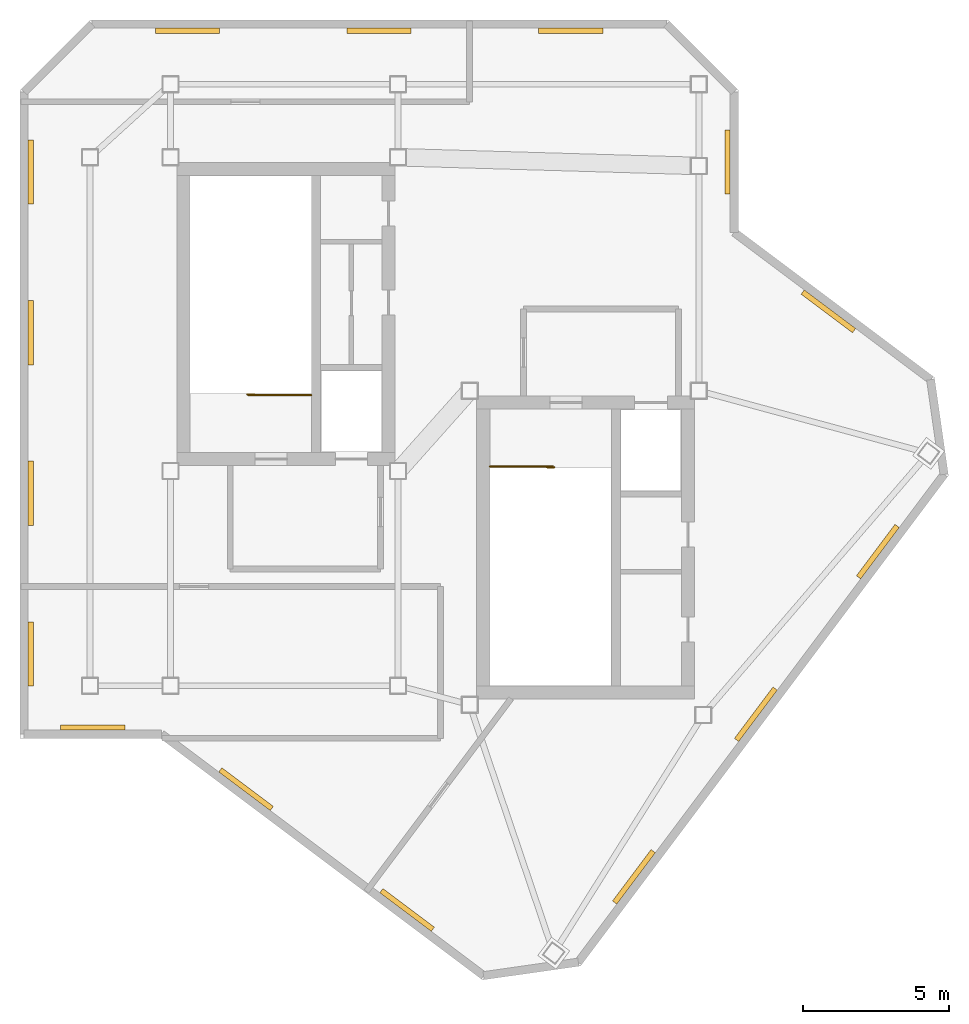
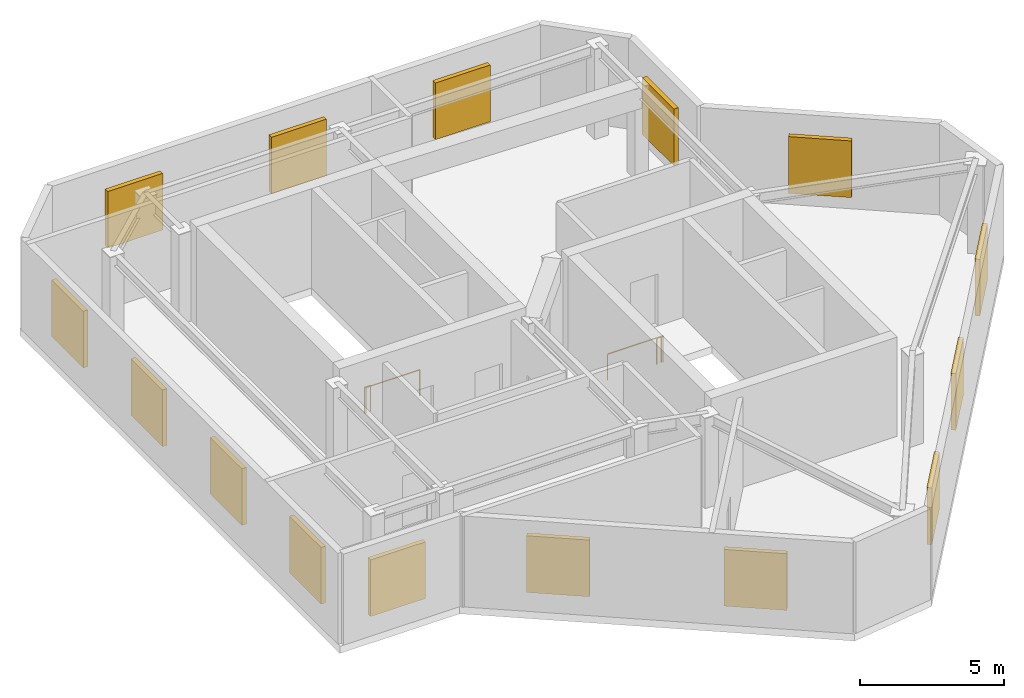
# One storey, part 3 of 3: 15 shading devices, 4 railings.
"""IFC4 building model written with IfcOpenShell, lengths in metres."""

import ifcopenshell
import ifcopenshell.guid

model = None  # the IFC model being written
_history = None  # IfcOwnerHistory: only IFC2X3 demands one
_inside = {}  # id of a spatial element -> (the spatial element, [elements in it])
_under = {}  # id of a project, library or spatial element -> (it, [spatial elements below it])
_declared = {}  # id of a project -> (the project, [libraries it declares])
_typed = {}  # id of a type object -> (the type object, [elements of that type])
_made_of = {}  # id of a material, layer set ... -> (it, [elements and type objects made of it])


def new_model(schema):
    """Start an empty IFC model of exactly this schema.

    Asked for "IFC4X3", IfcOpenShell would pick the latest addendum, in which some entities
    have other attributes; the version numbers below select the first issue.
    IFC2X3 requires an IfcOwnerHistory on every rooted entity: one is made here for all.
    """
    global model, _history
    if schema == "IFC4X3":
        model = ifcopenshell.file(schema_version=(4, 3, 0, 0))
    else:
        model = ifcopenshell.file(schema=schema)
    _inside.clear()
    _under.clear()
    _declared.clear()
    _typed.clear()
    _made_of.clear()
    _history = None
    if model.schema == "IFC2X3":
        org = make("IfcOrganization", Name="unknown")
        user = make(
            "IfcPersonAndOrganization",
            ThePerson=make("IfcPerson", FamilyName="unknown"),
            TheOrganization=org,
        )
        app = make(
            "IfcApplication",
            ApplicationDeveloper=org,
            Version="unknown",
            ApplicationFullName="unknown",
            ApplicationIdentifier="unknown",
        )
        _history = make(
            "IfcOwnerHistory",
            OwningUser=user,
            OwningApplication=app,
            ChangeAction="ADDED",
            CreationDate=0,
        )
    return model


def make(cls, **values):
    """One entity of the class cls with the attributes given. An attribute that is None is left unset."""
    return model.create_entity(
        cls, **{name: value for name, value in values.items() if value is not None}
    )


def rooted(cls, **values):
    """An entity with a GlobalId (a new one), such as an element, a storey or a relation."""
    return make(cls, GlobalId=ifcopenshell.guid.new(), OwnerHistory=_history, **values)


def si_unit(unit_type, name, prefix=None):
    """IfcSIUnit, for example si_unit("LENGTHUNIT", "METRE", prefix="MILLI")."""
    return make("IfcSIUnit", UnitType=unit_type, Prefix=prefix, Name=name)


def assignment(units):
    """IfcUnitAssignment: the units of a project."""
    return None if units is None else make("IfcUnitAssignment", Units=units)


def point(xyz):
    """IfcCartesianPoint."""
    return None if xyz is None else make("IfcCartesianPoint", Coordinates=xyz)


def direction(xyz):
    """IfcDirection."""
    return None if xyz is None else make("IfcDirection", DirectionRatios=xyz)


def frame(location, z_axis=None, x_axis=None):
    """IfcAxis2Placement3D, a coordinate frame: its origin and axes. An axis left out is left unset."""
    return make(
        "IfcAxis2Placement3D",
        Location=point(location),
        Axis=direction(z_axis),
        RefDirection=direction(x_axis),
    )


def frame_2d(location, x_axis=None):
    """IfcAxis2Placement2D, a coordinate frame in the plane: its origin and x axis."""
    return make(
        "IfcAxis2Placement2D", Location=point(location), RefDirection=direction(x_axis)
    )


def origin():
    """The frame at (0, 0, 0) with its axes left unset."""
    return frame((0.0, 0.0, 0.0))


def origin_2d():
    """The frame at (0, 0) in the plane with its x axis left unset."""
    return frame_2d((0.0, 0.0))


def place(relative_to, where):
    """IfcLocalPlacement: puts the frame where relative to a parent placement (None: the world)."""
    return make(
        "IfcLocalPlacement", PlacementRelTo=relative_to, RelativePlacement=where
    )


def context(
    kind, dimensions, precision=None, world=None, true_north=None, identifier=None
):
    """IfcGeometricRepresentationContext, for example the 3D "Model" context."""
    return make(
        "IfcGeometricRepresentationContext",
        ContextIdentifier=identifier,
        ContextType=kind,
        CoordinateSpaceDimension=dimensions,
        Precision=precision,
        WorldCoordinateSystem=world,
        TrueNorth=true_north,
    )


def subcontext(parent, identifier, kind, view, scale=None):
    """IfcGeometricRepresentationSubContext, for example "Body" below "Model"."""
    return make(
        "IfcGeometricRepresentationSubContext",
        ContextIdentifier=identifier,
        ContextType=kind,
        ParentContext=parent,
        TargetScale=scale,
        TargetView=view,
    )


def project(units=None, contexts=None):
    """IfcProject with its units and contexts."""
    return rooted(
        "IfcProject",
        Name="project",
        RepresentationContexts=contexts,
        UnitsInContext=assignment(units),
    )


def spatial(cls, under=None, at=None, **own):
    """A site, building, storey or space (cls), placed at a placement, below another one or the project."""
    s = rooted(cls, ObjectPlacement=at, **own)
    if under is not None:
        _under.setdefault(under.id(), (under, []))[1].append(s)
    return s


def profile(cls, at=None, kind="AREA", **sizes):
    """A parametric profile (cls). Its sizes go by their IFC names, for example OverallWidth=200.0."""
    return make(cls, ProfileType=kind, Position=at, **sizes)


def rectangle(**sizes):
    """IfcRectangleProfileDef."""
    return profile("IfcRectangleProfileDef", **sizes)


def circle(**sizes):
    """IfcCircleProfileDef."""
    return profile("IfcCircleProfileDef", **sizes)


def extrude(swept, where, along, depth):
    """IfcExtrudedAreaSolid: the profile swept, set in the frame where, extruded along a direction by depth."""
    return make(
        "IfcExtrudedAreaSolid",
        SweptArea=swept,
        Position=where,
        ExtrudedDirection=direction(along),
        Depth=depth,
    )


def shape(context_of_items, identifier, shape_type, items):
    """IfcShapeRepresentation: the items that make up one representation, for example the "Body"."""
    return make(
        "IfcShapeRepresentation",
        ContextOfItems=context_of_items,
        RepresentationIdentifier=identifier,
        RepresentationType=shape_type,
        Items=items,
    )


def material(Name=None, Category=None):
    """IfcMaterial."""
    return make("IfcMaterial", Name=Name, Category=Category)


def layer(
    of_material, thickness, ventilated=None, Name=None, Category=None, Priority=None
):
    """IfcMaterialLayer: one layer of a wall or slab, of a material (None: an air gap)."""
    return make(
        "IfcMaterialLayer",
        Material=of_material,
        LayerThickness=thickness,
        IsVentilated=ventilated,
        Name=Name,
        Category=Category,
        Priority=Priority,
    )


def layer_set(layers, Name=None):
    """IfcMaterialLayerSet."""
    return make("IfcMaterialLayerSet", MaterialLayers=layers, LayerSetName=Name)


def made_of(thing, what):
    """Note that an element or type object is made of a material, layer set ...; save() writes the relation."""
    if what is not None:
        _made_of.setdefault(what.id(), (what, []))[1].append(thing)
    return thing


def type_object(cls, material=None, **own):
    """A type object (cls), such as IfcWallType, which elements share."""
    return made_of(rooted(cls, **own), material)


def element(
    cls,
    number,
    at=None,
    inside=None,
    cuts=None,
    type_object=None,
    material=None,
    context=None,
    identifier="Body",
    shape_type=None,
    held_by="IfcProductDefinitionShape",
    body=None,
    shapes=None,
    **own,
):
    """One element of the class cls, such as IfcWall. Its Tag is "e" and its number.

    at: its placement. inside: the storey or other place that contains it. cuts: it is an
    opening in that element (IfcRelVoidsElement). A single representation is given by context,
    identifier, shape_type and body (its items); several are given by shapes. held_by: the class
    of the entity that holds the representations. save() writes the other relations.
    """
    e = rooted(cls, Tag="e%d" % number, ObjectPlacement=at, **own)
    if body is not None:
        shapes = [shape(context, identifier, shape_type, body)]
    if shapes is not None:
        e.Representation = make(held_by, Representations=shapes)
    if inside is not None:
        _inside.setdefault(inside.id(), (inside, []))[1].append(e)
    if cuts is not None:
        rooted(
            "IfcRelVoidsElement", RelatingBuildingElement=cuts, RelatedOpeningElement=e
        )
    if type_object is not None:
        _typed.setdefault(type_object.id(), (type_object, []))[1].append(e)
    return made_of(e, material)


def aggregate(whole, parts):
    """IfcRelAggregates: a whole, such as a stair, and the parts it consists of."""
    return rooted("IfcRelAggregates", RelatingObject=whole, RelatedObjects=parts)


def save(model, path):
    """Write the relations noted so far, then the file.

    IfcRelAggregates (storeys below a building ...), IfcRelContainedInSpatialStructure (elements
    in a storey), IfcRelDefinesByType, IfcRelAssociatesMaterial and IfcRelDeclares: one each for
    every whole, place, type object, material and project.
    """
    for whole, parts in _under.values():
        aggregate(whole, parts)
    for where, things in _inside.values():
        rooted(
            "IfcRelContainedInSpatialStructure",
            RelatedElements=things,
            RelatingStructure=where,
        )
    for kind, things in _typed.values():
        rooted("IfcRelDefinesByType", RelatedObjects=things, RelatingType=kind)
    for what, things in _made_of.values():
        rooted("IfcRelAssociatesMaterial", RelatedObjects=things, RelatingMaterial=what)
    for by, libraries in _declared.values():
        rooted("IfcRelDeclares", RelatingContext=by, RelatedDefinitions=libraries)
    model.write(path)


model = new_model("IFC4")

# Units and contexts
model_context = context("Model", 3, precision=1e-05, world=origin(), true_north=direction((0.0, 1.0)))
body_context = subcontext(model_context, "Body", "Model", "MODEL_VIEW")
ifc_project = project(units=[si_unit("LENGTHUNIT", "METRE"), si_unit("AREAUNIT", "SQUARE_METRE"), si_unit("VOLUMEUNIT", "CUBIC_METRE"), si_unit("PLANEANGLEUNIT", "RADIAN"), si_unit("MASSUNIT", "GRAM", prefix="KILO")], contexts=[model_context])

# Site, building, storey
site_placement = place(None, origin())
site = spatial("IfcSite", under=ifc_project, at=site_placement, CompositionType="ELEMENT")
building_placement = place(site_placement, origin())
building = spatial("IfcBuilding", under=site, at=building_placement, Name="Hatsunagi Terrace Concourse", CompositionType="ELEMENT")
storey_placement = place(building_placement, frame((0.0, 0.0, 289.949951171875)))
storey = spatial("IfcBuildingStorey", under=building, at=storey_placement, Name="L76", CompositionType="ELEMENT", Elevation=289.949951171875)

# Shading devices
ifc_material_1 = material(Name="Powder-Coated Aluminium Acoustic Louvre", Category="aluminium")
ifc_layer_1 = layer(ifc_material_1, 0.179931640625)
ifc_layer_set_1 = layer_set([ifc_layer_1], Name="PlantAcousticLouvre_180")
shading_device_type = type_object("IfcShadingDeviceType", Name="PlantAcousticLouvre_180", PredefinedType="JALOUSIE", material=ifc_layer_set_1)
for number, where, z_axis, x_axis, name in (
    (1, (48.0869140625, 38.02197265625, 0.60009765625), (0.0, 0.0, 1.0), (0.800028248794, -0.599962333093, 0.0), "Plant Acoustic Louvre L76-01-1"),
    (2, (49.781005859375, 29.791015625, 0.60009765625), (0.0, 0.0, 1.0), (-0.599969314634, -0.800023013105, 0.0), "Plant Acoustic Louvre L76-03-1"),
    (3, (45.60400390625, 24.221923828125, 0.60009765625), (0.0, 0.0, 1.0), (-0.599969314634, -0.800023013105, 0.0), "Plant Acoustic Louvre L76-03-2"),
    (4, (41.427001953125, 18.653076171875, 0.60009765625), (0.0, 0.0, 1.0), (-0.599969314634, -0.800023013105, 0.0), "Plant Acoustic Louvre L76-03-3"),
    (5, (33.657958984375, 17.51904296875, 0.60009765625), (0.0, 0.0, 1.0), (-0.80000835285, 0.599988862705, 0.0), "Plant Acoustic Louvre L76-05-1"),
    (6, (28.14306640625, 21.656005859375, 0.60009765625), (0.0, 0.0, 1.0), (-0.80000835285, 0.599988862705, 0.0), "Plant Acoustic Louvre L76-05-2"),
    (7, (22.89306640625, 23.77001953125, 0.60009765625), (0.0, 0.0, 1.0), (-1.0, 0.0, 0.0), "Plant Acoustic Louvre L76-06-1"),
    (8, (20.77001953125, 26.2900390625, 0.60009765625), (0.0, 0.0, 1.0), (0.0, 1.0, 0.0), "Plant Acoustic Louvre L76-07-1"),
    (9, (20.77001953125, 31.791015625, 0.60009765625), (0.0, 0.0, 1.0), (0.0, 1.0, 0.0), "Plant Acoustic Louvre L76-07-2"),
    (10, (20.77001953125, 37.291015625, 0.60009765625), (0.0, 0.0, 1.0), (0.0, 1.0, 0.0), "Plant Acoustic Louvre L76-07-3"),
    (11, (20.77001953125, 42.7919921875, 0.60009765625), (0.0, 0.0, 1.0), (0.0, 1.0, 0.0), "Plant Acoustic Louvre L76-07-4"),
    (12, (26.138916015625, 47.6298828125, 0.60009765625), (0.0, 0.0, 1.0), (1.0, 0.0, 0.0), "Plant Acoustic Louvre L76-09-1"),
    (13, (32.699951171875, 47.6298828125, 0.60009765625), (0.0, 0.0, 1.0), (1.0, 0.0, 0.0), "Plant Acoustic Louvre L76-09-2"),
    (14, (39.260986328125, 47.6298828125, 0.60009765625), (0.0, 0.0, 1.0), (1.0, 0.0, 0.0), "Plant Acoustic Louvre L76-09-3"),
    (15, (44.6298828125, 43.135986328125, 0.60009765625), (0.0, 0.0, 1.0), (0.0, -1.0, 0.0), "Plant Acoustic Louvre L76-11-1"),
):
    element("IfcShadingDevice", number, at=place(storey_placement, frame(where, z_axis=z_axis, x_axis=x_axis)), inside=storey, type_object=shading_device_type, Name=name, PredefinedType="JALOUSIE", context=body_context, shape_type="SweptSolid", body=[
        extrude(rectangle(XDim=2.199951171875, YDim=0.179931640625, at=origin_2d()), origin(), (0.0, 0.0, 1.0), 2.39990234375),
    ])

# Railings
ifc_material_2 = material(Name="Stainless steel", Category="steel")
ifc_layer_2 = layer(ifc_material_2, 0.06005859375)
ifc_layer_set_2 = layer_set([ifc_layer_2], Name="StairWellGuard_Tower2000")
railing_type_1 = type_object("IfcRailingType", Name="StairWellGuard_Tower2000", PredefinedType="BALUSTRADE", material=ifc_layer_set_2)
railing_1_placement = place(storey_placement, frame((30.3798828125, 35.14990234375, 0.0)))
element("IfcRailing", 16, at=railing_1_placement, inside=storey, type_object=railing_type_1, Name="L76 ST-A top well guard 1", PredefinedType="BALUSTRADE", context=body_context, shape_type="SweptSolid", body=[
    extrude(circle(Radius=0.02392578125, at=origin_2d()), frame((0.0, 0.0, 1.09619140625), z_axis=(-1.0, 0.0, 0.0), x_axis=(0.0, -1.0, 0.0)), (0.0, 0.0, 1.0), 2.14990234375),
    extrude(circle(Radius=0.02099609375, at=origin_2d()), origin(), (0.0, 0.0, 1.0), 1.072021484375),
    extrude(circle(Radius=0.02099609375, at=origin_2d()), frame((-2.14990234375, 0.0, 0.0)), (0.0, 0.0, 1.0), 1.072021484375),
])
railing_2_placement = place(storey_placement, frame((36.5, 32.7099609375, 0.0)))
element("IfcRailing", 17, at=railing_2_placement, inside=storey, type_object=railing_type_1, Name="L76 ST-B top well guard 1", PredefinedType="BALUSTRADE", context=body_context, shape_type="SweptSolid", body=[
    extrude(circle(Radius=0.02392578125, at=origin_2d()), frame((0.0, 0.0, 1.09619140625), z_axis=(1.0, 0.0, 0.0), x_axis=(0.0, 1.0, 0.0)), (0.0, 0.0, 1.0), 2.14990234375),
    extrude(circle(Radius=0.02099609375, at=origin_2d()), origin(), (0.0, 0.0, 1.0), 1.072021484375),
    extrude(circle(Radius=0.02099609375, at=origin_2d()), frame((2.14990234375, 0.0, 0.0)), (0.0, 0.0, 1.0), 1.072021484375),
])
ifc_material_3 = material(Name="Stainless Steel SUS316 Post-and-Rail Guard", Category="steel")
ifc_layer_3 = layer(ifc_material_3, 0.080078125)
ifc_layer_set_3 = layer_set([ifc_layer_3], Name="TerracePlantedGuardRail_1200")
railing_type_2 = type_object("IfcRailingType", Name="TerracePlantedGuardRail_1200", PredefinedType="GUARDRAIL", material=ifc_layer_set_3)
for number, where, name in (
    (18, (28.179931640625, 35.179931640625, 0.0), "Stair ST-A Well Closure Guard L76"),
    (19, (38.449951171875, 32.679931640625, 0.0), "Stair ST-B Well Closure Guard L76"),
):
    element("IfcRailing", number, at=place(storey_placement, frame(where)), inside=storey, type_object=railing_type_2, Name=name, PredefinedType="GUARDRAIL", context=body_context, shape_type="SweptSolid", body=[
        extrude(circle(Radius=0.02392578125, at=origin_2d()), frame((0.0, 0.0, 1.09619140625), z_axis=(1.0, 0.0, 0.0), x_axis=(0.0, 1.0, 0.0)), (0.0, 0.0, 1.0), 0.25),
        extrude(circle(Radius=0.02099609375, at=origin_2d()), origin(), (0.0, 0.0, 1.0), 1.072021484375),
        extrude(circle(Radius=0.02099609375, at=origin_2d()), frame((0.25, 0.0, 0.0)), (0.0, 0.0, 1.0), 1.072021484375),
    ])

save(model, "model.ifc")
